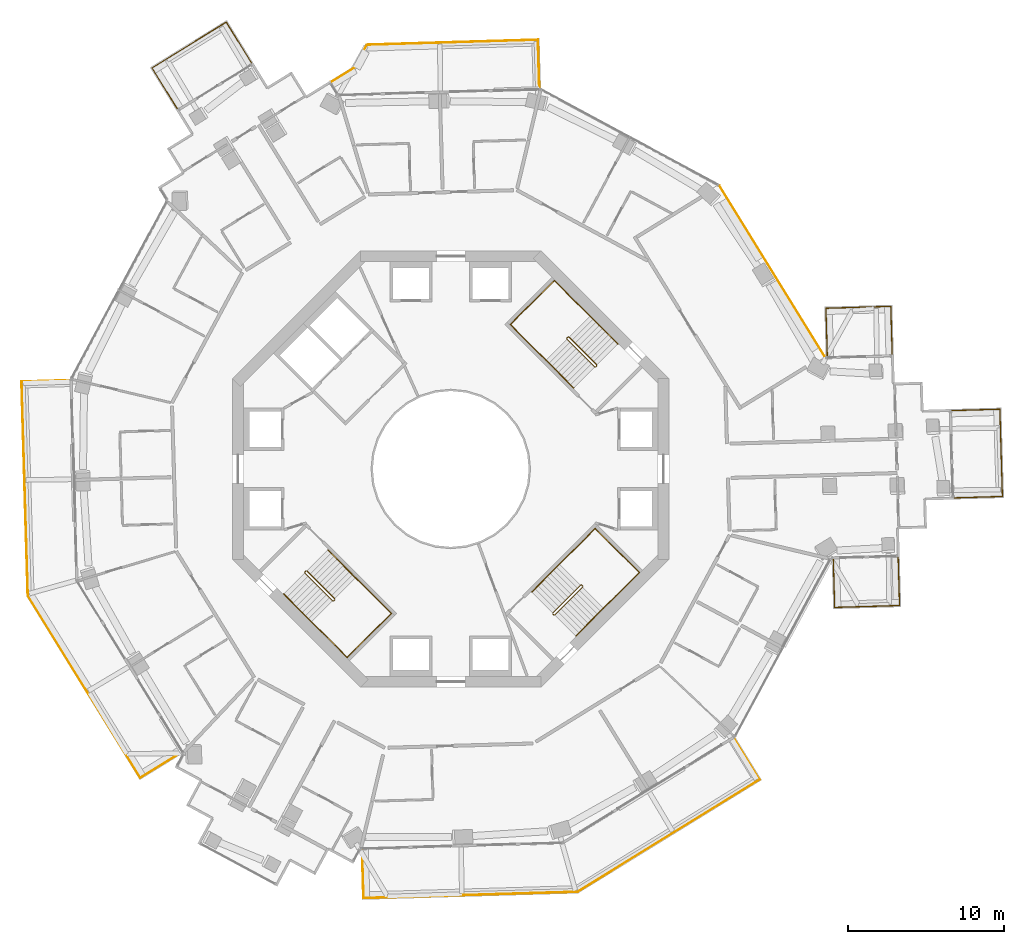
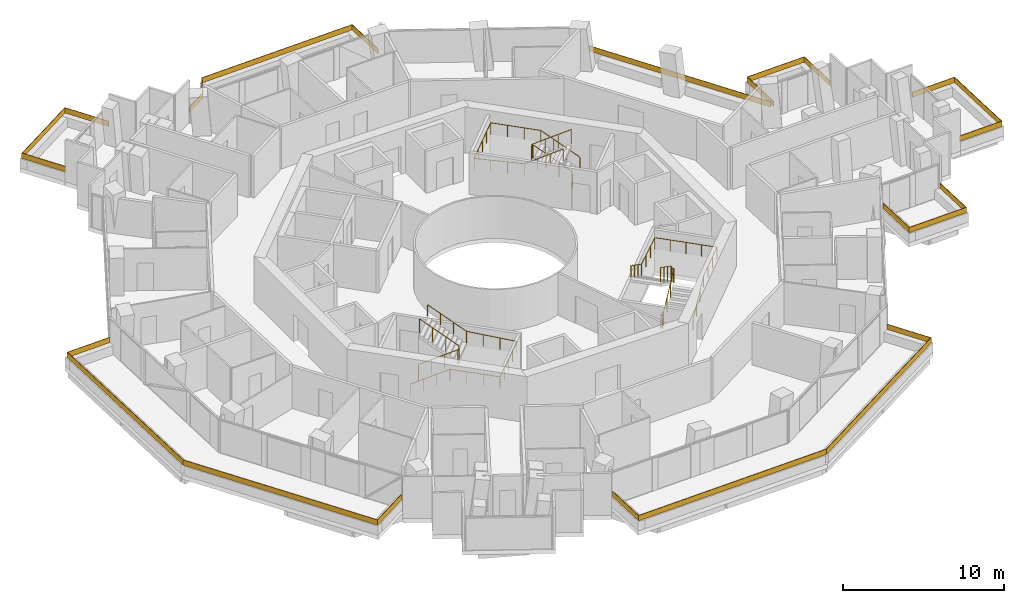
# One storey, part 22 of 22: 14 railings.
"""IFC4 building model written with IfcOpenShell, lengths in metres."""

from ifc_helpers import new_model, si_unit, direction, frame, origin, origin_2d, place, context, subcontext, project, spatial, polyline, rectangle, circle, outline, extrude, material, layer, layer_set, type_object, element, save


model = new_model("IFC4")

# Units and contexts
model_context = context("Model", 3, precision=1e-05, world=origin(), true_north=direction((0.0, 1.0)))
body_context = subcontext(model_context, "Body", "Model", "MODEL_VIEW")
ifc_project = project(units=[si_unit("LENGTHUNIT", "METRE"), si_unit("AREAUNIT", "SQUARE_METRE"), si_unit("VOLUMEUNIT", "CUBIC_METRE"), si_unit("PLANEANGLEUNIT", "RADIAN"), si_unit("MASSUNIT", "GRAM", prefix="KILO")], contexts=[model_context])

# Site, building, storey
site_placement = place(None, origin())
site = spatial("IfcSite", under=ifc_project, at=site_placement, CompositionType="ELEMENT")
building_placement = place(site_placement, origin())
building = spatial("IfcBuilding", under=site, at=building_placement, Name="Verdalira Terraces Hotel", CompositionType="ELEMENT")
storey_placement = place(building_placement, frame((0.0, 0.0, 162.0)))
storey = spatial("IfcBuildingStorey", under=building, at=storey_placement, Name="L39", CompositionType="ELEMENT", Elevation=162.0)

# Railings
ifc_material_1 = material(Name="Laminated glass", Category="glass")
ifc_layer = layer(ifc_material_1, 0.0400390625)
ifc_layer_set = layer_set([ifc_layer], Name="Balcony glass guard 400")
railing_type_1 = type_object("IfcRailingType", Name="Balcony glass guard 400", PredefinedType="GUARDRAIL", material=ifc_layer_set)
railing_1_placement = place(storey_placement, frame((0.0, 0.0, 0.699951)))
element("IfcRailing", 1, at=railing_1_placement, inside=storey, type_object=railing_type_1, Name="Balcony glass guard", PredefinedType="GUARDRAIL", context=body_context, shape_type="SweptSolid", body=[
    extrude(outline(polyline([(-14.407471, 28.639404), (-19.138916, 25.719238), (-17.521973, 23.099121), (-17.555908, 23.078125), (-19.194092, 25.732422), (-14.394287, 28.694336), (-12.756348, 26.040039), (-12.790527, 26.019043), (-14.407471, 28.639404)])), origin(), (0.0, 0.0, 1.0), 0.400146),
])
railing_2_placement = place(storey_placement, frame((0.0, 0.0, 0.699951)))
element("IfcRailing", 2, at=railing_2_placement, inside=storey, type_object=railing_type_1, Name="Balcony glass guard", PredefinedType="GUARDRAIL", context=body_context, shape_type="SweptSolid", body=[
    extrude(outline(polyline([(-27.513672, 5.575684), (-27.111816, -8.123535), (-19.914062, -19.786621), (-17.293945, -18.169678), (-17.272949, -18.203857), (-19.927246, -19.841797), (-27.151611, -8.135498), (-27.554688, 5.614502), (-24.437012, 5.706055), (-24.436035, 5.666016), (-27.513672, 5.575684)])), origin(), (0.0, 0.0, 1.0), 0.400146),
])
railing_3_placement = place(storey_placement, frame((0.0, 0.0, 0.699951)))
element("IfcRailing", 3, at=railing_3_placement, inside=storey, type_object=railing_type_1, Name="Balcony glass guard", PredefinedType="GUARDRAIL", context=body_context, shape_type="SweptSolid", body=[
    extrude(outline(polyline([(-5.575684, -27.513672), (8.123535, -27.111816), (19.786621, -19.914062), (18.169678, -17.293945), (18.203857, -17.272949), (19.841797, -19.927246), (8.135498, -27.151611), (-5.614502, -27.554688), (-5.706055, -24.437012), (-5.666016, -24.436035), (-5.575684, -27.513672)])), origin(), (0.0, 0.0, 1.0), 0.400146),
])
railing_4_placement = place(storey_placement, frame((0.0, 0.0, 0.699951)))
element("IfcRailing", 4, at=railing_4_placement, inside=storey, type_object=railing_type_1, Name="Balcony glass guard", PredefinedType="GUARDRAIL", context=body_context, shape_type="SweptSolid", body=[
    extrude(outline(polyline([(24.648682, -8.861084), (28.77002, -8.740234), (28.679932, -5.662598), (28.719727, -5.661377), (28.811279, -8.779053), (24.609863, -8.902344), (24.518555, -5.784668), (24.55835, -5.783447), (24.648682, -8.861084)])), origin(), (0.0, 0.0, 1.0), 0.400146),
])
railing_5_placement = place(storey_placement, frame((0.0, 0.0, 0.699951)))
element("IfcRailing", 5, at=railing_5_placement, inside=storey, type_object=railing_type_1, Name="Balcony glass guard", PredefinedType="GUARDRAIL", context=body_context, shape_type="SweptSolid", body=[
    extrude(outline(polyline([(35.36792, -1.743896), (35.204834, 3.813721), (32.127197, 3.723389), (32.125977, 3.763428), (35.243652, 3.85498), (35.408936, -1.782715), (32.29126, -1.874023), (32.290039, -1.834229), (35.36792, -1.743896)])), origin(), (0.0, 0.0, 1.0), 0.400146),
])
railing_6_placement = place(storey_placement, frame((0.0, 0.0, 0.699951)))
element("IfcRailing", 6, at=railing_6_placement, inside=storey, type_object=railing_type_1, Name="Balcony glass guard", PredefinedType="GUARDRAIL", context=body_context, shape_type="SweptSolid", body=[
    extrude(outline(polyline([(28.208252, 10.411377), (24.086914, 10.290527), (24.177246, 7.212891), (24.137207, 7.21167), (24.045898, 10.329346), (28.24707, 10.452637), (28.338623, 7.334961), (28.298584, 7.33374), (28.208252, 10.411377)])), origin(), (0.0, 0.0, 1.0), 0.400146),
])
railing_7_placement = place(storey_placement, frame((0.0, 0.0, 0.699951)))
element("IfcRailing", 7, at=railing_7_placement, inside=storey, type_object=railing_type_1, Name="Balcony glass guard", PredefinedType="GUARDRAIL", context=body_context, shape_type="SweptSolid", body=[
    extrude(outline(polyline([(5.575684, 27.513672), (-5.382812, 27.192139), (-6.169189, 25.732666), (-7.669678, 24.806641), (-7.690674, 24.84082), (-6.199463, 25.76123), (-5.406982, 27.231445), (5.614502, 27.554688), (5.706055, 24.437012), (5.666016, 24.436035), (5.575684, 27.513672)])), origin(), (0.0, 0.0, 1.0), 0.400146),
])
railing_8_placement = place(storey_placement, frame((20.601074, 12.713623, 0.699951), z_axis=(0.0, 0.0, 1.0), x_axis=(-0.52517463, 0.850994482, 0.0)))
element("IfcRailing", 8, at=railing_8_placement, inside=storey, type_object=railing_type_1, Name="Loggia glass guard", PredefinedType="GUARDRAIL", context=body_context, shape_type="SweptSolid", body=[
    extrude(rectangle(XDim=12.840088, YDim=0.040039, at=origin_2d()), origin(), (0.0, 0.0, 1.0), 0.399902),
])
ifc_material_2 = material(Name="Stainless steel", Category="steel")
railing_type_2 = type_object("IfcRailingType", Name="Stair guard 1100", PredefinedType="GUARDRAIL", material=ifc_material_2)
railing_9_placement = place(storey_placement, frame((9.369141, 6.611328, 0.0)))
element("IfcRailing", 9, at=railing_9_placement, inside=storey, type_object=railing_type_2, Name="L39 ST1 stair guard 1", PredefinedType="GUARDRAIL", context=body_context, shape_type="SweptSolid", body=[
    extrude(circle(Radius=0.023926, at=origin_2d()), frame((0.0, 0.0, 1.076172), z_axis=(-0.70832698, -0.705884473, 0.0), x_axis=(0.705884473, -0.70832698, 0.0)), (0.0, 0.0, 1.0), 0.099854),
    extrude(circle(Radius=0.023926, at=origin_2d()), frame((-0.070801, -0.070557, 1.076172), z_axis=(0.300162975, 0.599290904, 0.742127078), x_axis=(-0.894118129, 0.447831187, 0.0)), (0.0, 0.0, 1.0), 0.23584),
    extrude(circle(Radius=0.023926, at=origin_2d()), frame((0.0, 0.070801, 1.250977), z_axis=(-0.599637504, 0.599637504, 0.52997144), x_axis=(-0.707106781, -0.707106781, 0.0)), (0.0, 0.0, 1.0), 2.97168),
    extrude(circle(Radius=0.023926, at=origin_2d()), frame((-1.781982, 1.852783, 2.826172), z_axis=(-1.0, 0.0, 0.0), x_axis=(0.0, -1.0, 0.0)), (0.0, 0.0, 1.0), 0.070557),
    extrude(circle(Radius=0.023926, at=origin_2d()), frame((-1.852539, 1.852783, 2.826172), z_axis=(-0.707106781, -0.707106781, 0.0), x_axis=(0.707106781, -0.707106781, 0.0)), (0.0, 0.0, 1.0), 0.100098),
    extrude(circle(Radius=0.023926, at=origin_2d()), frame((-1.92334, 1.781982, 2.826172), z_axis=(0.0, -0.373842709, 0.927492118), x_axis=(1.0, 0.0, 0.0)), (0.0, 0.0, 1.0), 0.188721),
    extrude(circle(Radius=0.023926, at=origin_2d()), frame((-1.92334, 1.711426, 3.000977), z_axis=(0.599637504, -0.599637504, 0.52997144), x_axis=(0.707106781, 0.707106781, 0.0)), (0.0, 0.0, 1.0), 2.97168),
    extrude(circle(Radius=0.020996, at=origin_2d()), origin(), (0.0, 0.0, 1.0), 1.052002),
    extrude(circle(Radius=0.020996, at=origin_2d()), frame((-0.070801, -0.070557, 0.0)), (0.0, 0.0, 1.0), 1.052002),
    extrude(circle(Radius=0.020996, at=origin_2d()), frame((0.0, 0.070801, 0.175049)), (0.0, 0.0, 1.0), 1.052002),
    extrude(circle(Radius=0.020996, at=origin_2d()), frame((-0.593994, 0.664795, 0.699951)), (0.0, 0.0, 1.0), 1.052002),
    extrude(circle(Radius=0.020996, at=origin_2d()), frame((-1.187988, 1.258789, 1.225098)), (0.0, 0.0, 1.0), 1.052002),
    extrude(circle(Radius=0.020996, at=origin_2d()), frame((-1.781982, 1.852783, 1.75)), (0.0, 0.0, 1.0), 1.052002),
    extrude(circle(Radius=0.020996, at=origin_2d()), frame((-1.852539, 1.852783, 1.75)), (0.0, 0.0, 1.0), 1.052002),
    extrude(circle(Radius=0.020996, at=origin_2d()), frame((-1.92334, 1.781982, 1.75)), (0.0, 0.0, 1.0), 1.052002),
    extrude(circle(Radius=0.020996, at=origin_2d()), frame((-1.92334, 1.711426, 1.925049)), (0.0, 0.0, 1.0), 1.052002),
    extrude(circle(Radius=0.020996, at=origin_2d()), frame((-1.329346, 1.117432, 2.449951)), (0.0, 0.0, 1.0), 1.052002),
    extrude(circle(Radius=0.020996, at=origin_2d()), frame((-0.735352, 0.523438, 2.975098)), (0.0, 0.0, 1.0), 1.052002),
    extrude(circle(Radius=0.020996, at=origin_2d()), frame((-0.141357, -0.070557, 3.5)), (0.0, 0.0, 1.0), 1.052002),
])
railing_10_placement = place(storey_placement, frame((-9.369141, -6.611328, 0.0)))
element("IfcRailing", 10, at=railing_10_placement, inside=storey, type_object=railing_type_2, Name="L39 ST2 stair guard 1", PredefinedType="GUARDRAIL", context=body_context, shape_type="SweptSolid", body=[
    extrude(circle(Radius=0.023926, at=origin_2d()), frame((0.0, 0.0, 1.076172), z_axis=(0.70832698, 0.705884473, 0.0), x_axis=(-0.705884473, 0.70832698, 0.0)), (0.0, 0.0, 1.0), 0.099854),
    extrude(circle(Radius=0.023926, at=origin_2d()), frame((0.070801, 0.070557, 1.076172), z_axis=(-0.300162975, -0.599290904, 0.742127078), x_axis=(0.894118129, -0.447831187, 0.0)), (0.0, 0.0, 1.0), 0.23584),
    extrude(circle(Radius=0.023926, at=origin_2d()), frame((0.0, -0.070801, 1.250977), z_axis=(0.599637504, -0.599637504, 0.52997144), x_axis=(0.707106781, 0.707106781, 0.0)), (0.0, 0.0, 1.0), 2.97168),
    extrude(circle(Radius=0.023926, at=origin_2d()), frame((1.781982, -1.852783, 2.826172), z_axis=(1.0, 0.0, 0.0), x_axis=(0.0, 1.0, 0.0)), (0.0, 0.0, 1.0), 0.070557),
    extrude(circle(Radius=0.023926, at=origin_2d()), frame((1.852539, -1.852783, 2.826172), z_axis=(0.707106781, 0.707106781, 0.0), x_axis=(-0.707106781, 0.707106781, 0.0)), (0.0, 0.0, 1.0), 0.100098),
    extrude(circle(Radius=0.023926, at=origin_2d()), frame((1.92334, -1.781982, 2.826172), z_axis=(0.0, 0.373842709, 0.927492118), x_axis=(-1.0, 0.0, 0.0)), (0.0, 0.0, 1.0), 0.188721),
    extrude(circle(Radius=0.023926, at=origin_2d()), frame((1.92334, -1.711426, 3.000977), z_axis=(-0.599637504, 0.599637504, 0.52997144), x_axis=(-0.707106781, -0.707106781, 0.0)), (0.0, 0.0, 1.0), 2.97168),
    extrude(circle(Radius=0.020996, at=origin_2d()), origin(), (0.0, 0.0, 1.0), 1.052002),
    extrude(circle(Radius=0.020996, at=origin_2d()), frame((0.070801, 0.070557, 0.0)), (0.0, 0.0, 1.0), 1.052002),
    extrude(circle(Radius=0.020996, at=origin_2d()), frame((0.0, -0.070801, 0.175049)), (0.0, 0.0, 1.0), 1.052002),
    extrude(circle(Radius=0.020996, at=origin_2d()), frame((0.593994, -0.664795, 0.699951)), (0.0, 0.0, 1.0), 1.052002),
    extrude(circle(Radius=0.020996, at=origin_2d()), frame((1.187988, -1.258789, 1.225098)), (0.0, 0.0, 1.0), 1.052002),
    extrude(circle(Radius=0.020996, at=origin_2d()), frame((1.781982, -1.852783, 1.75)), (0.0, 0.0, 1.0), 1.052002),
    extrude(circle(Radius=0.020996, at=origin_2d()), frame((1.852539, -1.852783, 1.75)), (0.0, 0.0, 1.0), 1.052002),
    extrude(circle(Radius=0.020996, at=origin_2d()), frame((1.92334, -1.781982, 1.75)), (0.0, 0.0, 1.0), 1.052002),
    extrude(circle(Radius=0.020996, at=origin_2d()), frame((1.92334, -1.711426, 1.925049)), (0.0, 0.0, 1.0), 1.052002),
    extrude(circle(Radius=0.020996, at=origin_2d()), frame((1.329346, -1.117432, 2.449951)), (0.0, 0.0, 1.0), 1.052002),
    extrude(circle(Radius=0.020996, at=origin_2d()), frame((0.735352, -0.523438, 2.975098)), (0.0, 0.0, 1.0), 1.052002),
    extrude(circle(Radius=0.020996, at=origin_2d()), frame((0.141357, 0.070557, 3.5)), (0.0, 0.0, 1.0), 1.052002),
])
railing_11_placement = place(storey_placement, frame((6.611328, -9.369141, 0.0)))
element("IfcRailing", 11, at=railing_11_placement, inside=storey, type_object=railing_type_2, Name="L39 ST3 stair guard 1", PredefinedType="GUARDRAIL", context=body_context, shape_type="SweptSolid", body=[
    extrude(circle(Radius=0.023926, at=origin_2d()), frame((0.0, 0.0, 1.076172), z_axis=(-0.705884473, 0.70832698, 0.0), x_axis=(-0.70832698, -0.705884473, 0.0)), (0.0, 0.0, 1.0), 0.099854),
    extrude(circle(Radius=0.023926, at=origin_2d()), frame((-0.070557, 0.070801, 1.076172), z_axis=(0.599290904, -0.300162975, 0.742127078), x_axis=(0.447831187, 0.894118129, 0.0)), (0.0, 0.0, 1.0), 0.23584),
    extrude(circle(Radius=0.023926, at=origin_2d()), frame((0.070801, 0.0, 1.250977), z_axis=(0.599637504, 0.599637504, 0.52997144), x_axis=(-0.707106781, 0.707106781, 0.0)), (0.0, 0.0, 1.0), 2.97168),
    extrude(circle(Radius=0.023926, at=origin_2d()), frame((1.852783, 1.781982, 2.826172), z_axis=(0.0, 1.0, 0.0), x_axis=(-1.0, 0.0, 0.0)), (0.0, 0.0, 1.0), 0.070557),
    extrude(circle(Radius=0.023926, at=origin_2d()), frame((1.852783, 1.852539, 2.826172), z_axis=(-0.707106781, 0.707106781, 0.0), x_axis=(-0.707106781, -0.707106781, 0.0)), (0.0, 0.0, 1.0), 0.100098),
    extrude(circle(Radius=0.023926, at=origin_2d()), frame((1.781982, 1.92334, 2.826172), z_axis=(-0.373842709, 0.0, 0.927492118), x_axis=(0.0, -1.0, 0.0)), (0.0, 0.0, 1.0), 0.188721),
    extrude(circle(Radius=0.023926, at=origin_2d()), frame((1.711426, 1.92334, 3.000977), z_axis=(-0.599637504, -0.599637504, 0.52997144), x_axis=(0.707106781, -0.707106781, 0.0)), (0.0, 0.0, 1.0), 2.97168),
    extrude(circle(Radius=0.020996, at=origin_2d()), origin(), (0.0, 0.0, 1.0), 1.052002),
    extrude(circle(Radius=0.020996, at=origin_2d()), frame((-0.070557, 0.070801, 0.0)), (0.0, 0.0, 1.0), 1.052002),
    extrude(circle(Radius=0.020996, at=origin_2d()), frame((0.070801, 0.0, 0.175049)), (0.0, 0.0, 1.0), 1.052002),
    extrude(circle(Radius=0.020996, at=origin_2d()), frame((0.664795, 0.593994, 0.699951)), (0.0, 0.0, 1.0), 1.052002),
    extrude(circle(Radius=0.020996, at=origin_2d()), frame((1.258789, 1.187988, 1.225098)), (0.0, 0.0, 1.0), 1.052002),
    extrude(circle(Radius=0.020996, at=origin_2d()), frame((1.852783, 1.781982, 1.75)), (0.0, 0.0, 1.0), 1.052002),
    extrude(circle(Radius=0.020996, at=origin_2d()), frame((1.852783, 1.852539, 1.75)), (0.0, 0.0, 1.0), 1.052002),
    extrude(circle(Radius=0.020996, at=origin_2d()), frame((1.781982, 1.92334, 1.75)), (0.0, 0.0, 1.0), 1.052002),
    extrude(circle(Radius=0.020996, at=origin_2d()), frame((1.711426, 1.92334, 1.925049)), (0.0, 0.0, 1.0), 1.052002),
    extrude(circle(Radius=0.020996, at=origin_2d()), frame((1.117432, 1.329346, 2.449951)), (0.0, 0.0, 1.0), 1.052002),
    extrude(circle(Radius=0.020996, at=origin_2d()), frame((0.523438, 0.735352, 2.975098)), (0.0, 0.0, 1.0), 1.052002),
    extrude(circle(Radius=0.020996, at=origin_2d()), frame((-0.070557, 0.141357, 3.5)), (0.0, 0.0, 1.0), 1.052002),
])
ifc_material_3 = material(Name="Stainless steel", Category="steel")
railing_type_3 = type_object("IfcRailingType", Name="Stair handrail 900", PredefinedType="HANDRAIL", material=ifc_material_3)
railing_12_placement = place(storey_placement, frame((10.712646, 8.025635, 0.175049)))
element("IfcRailing", 12, at=railing_12_placement, inside=storey, type_object=railing_type_3, Name="L39 ST1 stair handrail 1", PredefinedType="HANDRAIL", context=body_context, shape_type="SweptSolid", body=[
    extrude(circle(Radius=0.023926, at=origin_2d()), frame((0.0, 0.0, 0.875977), z_axis=(-0.599637504, 0.599637504, 0.52997144), x_axis=(-0.707106781, -0.707106781, 0.0)), (0.0, 0.0, 1.0), 2.97168),
    extrude(circle(Radius=0.023926, at=origin_2d()), frame((-1.781982, 1.781982, 2.450684), z_axis=(-0.707106781, 0.707106781, 0.0), x_axis=(-0.707106781, -0.707106781, 0.0)), (0.0, 0.0, 1.0), 3.22998),
    extrude(circle(Radius=0.023926, at=origin_2d()), frame((-4.065918, 4.065918, 2.450684), z_axis=(-0.707106781, -0.707106781, 0.0), x_axis=(0.707106781, -0.707106781, 0.0)), (0.0, 0.0, 1.0), 4.0),
    extrude(circle(Radius=0.023926, at=origin_2d()), frame((-6.894287, 1.237549, 2.450684), z_axis=(0.706070637, -0.706070637, 0.054115729), x_axis=(0.707106781, 0.707106781, 0.0)), (0.0, 0.0, 1.0), 3.234619),
    extrude(circle(Radius=0.023926, at=origin_2d()), frame((-4.610352, -1.046387, 2.625977), z_axis=(0.599637504, -0.599637504, 0.52997144), x_axis=(0.707106781, 0.707106781, 0.0)), (0.0, 0.0, 1.0), 2.97168),
    extrude(circle(Radius=0.020996, at=origin_2d()), origin(), (0.0, 0.0, 1.0), 0.851807),
    extrude(circle(Radius=0.020996, at=origin_2d()), frame((-0.593994, 0.593994, 0.524902)), (0.0, 0.0, 1.0), 0.851807),
    extrude(circle(Radius=0.020996, at=origin_2d()), frame((-1.187988, 1.187988, 1.050049)), (0.0, 0.0, 1.0), 0.851807),
    extrude(circle(Radius=0.020996, at=origin_2d()), frame((-1.781982, 1.781982, 1.574951)), (0.0, 0.0, 1.0), 0.851807),
    extrude(circle(Radius=0.020996, at=origin_2d()), frame((-2.543213, 2.543213, 1.574951)), (0.0, 0.0, 1.0), 0.851807),
    extrude(circle(Radius=0.020996, at=origin_2d()), frame((-3.304688, 3.304688, 1.574951)), (0.0, 0.0, 1.0), 0.851807),
    extrude(circle(Radius=0.020996, at=origin_2d()), frame((-4.065918, 4.065918, 1.574951)), (0.0, 0.0, 1.0), 0.851807),
    extrude(circle(Radius=0.020996, at=origin_2d()), frame((-4.772949, 3.358887, 1.574951)), (0.0, 0.0, 1.0), 0.851807),
    extrude(circle(Radius=0.020996, at=origin_2d()), frame((-5.47998, 2.651855, 1.574951)), (0.0, 0.0, 1.0), 0.851807),
    extrude(circle(Radius=0.020996, at=origin_2d()), frame((-6.187256, 1.94458, 1.574951)), (0.0, 0.0, 1.0), 0.851807),
    extrude(circle(Radius=0.020996, at=origin_2d()), frame((-6.894287, 1.237549, 1.574951)), (0.0, 0.0, 1.0), 0.851807),
    extrude(circle(Radius=0.020996, at=origin_2d()), frame((-6.133057, 0.476318, 1.633301)), (0.0, 0.0, 1.0), 0.851807),
    extrude(circle(Radius=0.020996, at=origin_2d()), frame((-5.371582, -0.285156, 1.69165)), (0.0, 0.0, 1.0), 0.851807),
    extrude(circle(Radius=0.020996, at=origin_2d()), frame((-4.610352, -1.046387, 1.75)), (0.0, 0.0, 1.0), 0.851807),
    extrude(circle(Radius=0.020996, at=origin_2d()), frame((-4.016357, -1.640381, 2.274902)), (0.0, 0.0, 1.0), 0.851807),
    extrude(circle(Radius=0.020996, at=origin_2d()), frame((-3.422363, -2.234375, 2.800049)), (0.0, 0.0, 1.0), 0.851807),
    extrude(circle(Radius=0.020996, at=origin_2d()), frame((-2.828369, -2.828369, 3.324951)), (0.0, 0.0, 1.0), 0.851807),
])
railing_13_placement = place(storey_placement, frame((-10.712646, -8.025635, 0.175049)))
element("IfcRailing", 13, at=railing_13_placement, inside=storey, type_object=railing_type_3, Name="L39 ST2 stair handrail 1", PredefinedType="HANDRAIL", context=body_context, shape_type="SweptSolid", body=[
    extrude(circle(Radius=0.023926, at=origin_2d()), frame((0.0, 0.0, 0.875977), z_axis=(0.599637504, -0.599637504, 0.52997144), x_axis=(0.707106781, 0.707106781, 0.0)), (0.0, 0.0, 1.0), 2.97168),
    extrude(circle(Radius=0.023926, at=origin_2d()), frame((1.781982, -1.781982, 2.450684), z_axis=(0.707106781, -0.707106781, 0.0), x_axis=(0.707106781, 0.707106781, 0.0)), (0.0, 0.0, 1.0), 3.22998),
    extrude(circle(Radius=0.023926, at=origin_2d()), frame((4.065918, -4.065918, 2.450684), z_axis=(0.707106781, 0.707106781, 0.0), x_axis=(-0.707106781, 0.707106781, 0.0)), (0.0, 0.0, 1.0), 4.0),
    extrude(circle(Radius=0.023926, at=origin_2d()), frame((6.894287, -1.237549, 2.450684), z_axis=(-0.706070637, 0.706070637, 0.054115729), x_axis=(-0.707106781, -0.707106781, 0.0)), (0.0, 0.0, 1.0), 3.234619),
    extrude(circle(Radius=0.023926, at=origin_2d()), frame((4.610352, 1.046387, 2.625977), z_axis=(-0.599637504, 0.599637504, 0.52997144), x_axis=(-0.707106781, -0.707106781, 0.0)), (0.0, 0.0, 1.0), 2.97168),
    extrude(circle(Radius=0.020996, at=origin_2d()), origin(), (0.0, 0.0, 1.0), 0.851807),
    extrude(circle(Radius=0.020996, at=origin_2d()), frame((0.593994, -0.593994, 0.524902)), (0.0, 0.0, 1.0), 0.851807),
    extrude(circle(Radius=0.020996, at=origin_2d()), frame((1.187988, -1.187988, 1.050049)), (0.0, 0.0, 1.0), 0.851807),
    extrude(circle(Radius=0.020996, at=origin_2d()), frame((1.781982, -1.781982, 1.574951)), (0.0, 0.0, 1.0), 0.851807),
    extrude(circle(Radius=0.020996, at=origin_2d()), frame((2.543213, -2.543213, 1.574951)), (0.0, 0.0, 1.0), 0.851807),
    extrude(circle(Radius=0.020996, at=origin_2d()), frame((3.304688, -3.304688, 1.574951)), (0.0, 0.0, 1.0), 0.851807),
    extrude(circle(Radius=0.020996, at=origin_2d()), frame((4.065918, -4.065918, 1.574951)), (0.0, 0.0, 1.0), 0.851807),
    extrude(circle(Radius=0.020996, at=origin_2d()), frame((4.772949, -3.358887, 1.574951)), (0.0, 0.0, 1.0), 0.851807),
    extrude(circle(Radius=0.020996, at=origin_2d()), frame((5.47998, -2.651855, 1.574951)), (0.0, 0.0, 1.0), 0.851807),
    extrude(circle(Radius=0.020996, at=origin_2d()), frame((6.187256, -1.94458, 1.574951)), (0.0, 0.0, 1.0), 0.851807),
    extrude(circle(Radius=0.020996, at=origin_2d()), frame((6.894287, -1.237549, 1.574951)), (0.0, 0.0, 1.0), 0.851807),
    extrude(circle(Radius=0.020996, at=origin_2d()), frame((6.133057, -0.476318, 1.633301)), (0.0, 0.0, 1.0), 0.851807),
    extrude(circle(Radius=0.020996, at=origin_2d()), frame((5.371582, 0.285156, 1.69165)), (0.0, 0.0, 1.0), 0.851807),
    extrude(circle(Radius=0.020996, at=origin_2d()), frame((4.610352, 1.046387, 1.75)), (0.0, 0.0, 1.0), 0.851807),
    extrude(circle(Radius=0.020996, at=origin_2d()), frame((4.016357, 1.640381, 2.274902)), (0.0, 0.0, 1.0), 0.851807),
    extrude(circle(Radius=0.020996, at=origin_2d()), frame((3.422363, 2.234375, 2.800049)), (0.0, 0.0, 1.0), 0.851807),
    extrude(circle(Radius=0.020996, at=origin_2d()), frame((2.828369, 2.828369, 3.324951)), (0.0, 0.0, 1.0), 0.851807),
])
railing_14_placement = place(storey_placement, frame((8.025635, -10.712646, 0.175049)))
element("IfcRailing", 14, at=railing_14_placement, inside=storey, type_object=railing_type_3, Name="L39 ST3 stair handrail 1", PredefinedType="HANDRAIL", context=body_context, shape_type="SweptSolid", body=[
    extrude(circle(Radius=0.023926, at=origin_2d()), frame((0.0, 0.0, 0.875977), z_axis=(0.599637504, 0.599637504, 0.52997144), x_axis=(-0.707106781, 0.707106781, 0.0)), (0.0, 0.0, 1.0), 2.97168),
    extrude(circle(Radius=0.023926, at=origin_2d()), frame((1.781982, 1.781982, 2.450684), z_axis=(0.707106781, 0.707106781, 0.0), x_axis=(-0.707106781, 0.707106781, 0.0)), (0.0, 0.0, 1.0), 3.22998),
    extrude(circle(Radius=0.023926, at=origin_2d()), frame((4.065918, 4.065918, 2.450684), z_axis=(-0.707106781, 0.707106781, 0.0), x_axis=(-0.707106781, -0.707106781, 0.0)), (0.0, 0.0, 1.0), 4.0),
    extrude(circle(Radius=0.023926, at=origin_2d()), frame((1.237549, 6.894287, 2.450684), z_axis=(-0.706070637, -0.706070637, 0.054115729), x_axis=(0.707106781, -0.707106781, 0.0)), (0.0, 0.0, 1.0), 3.234619),
    extrude(circle(Radius=0.023926, at=origin_2d()), frame((-1.046387, 4.610352, 2.625977), z_axis=(-0.599637504, -0.599637504, 0.52997144), x_axis=(0.707106781, -0.707106781, 0.0)), (0.0, 0.0, 1.0), 2.97168),
    extrude(circle(Radius=0.020996, at=origin_2d()), origin(), (0.0, 0.0, 1.0), 0.851807),
    extrude(circle(Radius=0.020996, at=origin_2d()), frame((0.593994, 0.593994, 0.524902)), (0.0, 0.0, 1.0), 0.851807),
    extrude(circle(Radius=0.020996, at=origin_2d()), frame((1.187988, 1.187988, 1.050049)), (0.0, 0.0, 1.0), 0.851807),
    extrude(circle(Radius=0.020996, at=origin_2d()), frame((1.781982, 1.781982, 1.574951)), (0.0, 0.0, 1.0), 0.851807),
    extrude(circle(Radius=0.020996, at=origin_2d()), frame((2.543213, 2.543213, 1.574951)), (0.0, 0.0, 1.0), 0.851807),
    extrude(circle(Radius=0.020996, at=origin_2d()), frame((3.304688, 3.304688, 1.574951)), (0.0, 0.0, 1.0), 0.851807),
    extrude(circle(Radius=0.020996, at=origin_2d()), frame((4.065918, 4.065918, 1.574951)), (0.0, 0.0, 1.0), 0.851807),
    extrude(circle(Radius=0.020996, at=origin_2d()), frame((3.358887, 4.772949, 1.574951)), (0.0, 0.0, 1.0), 0.851807),
    extrude(circle(Radius=0.020996, at=origin_2d()), frame((2.651855, 5.47998, 1.574951)), (0.0, 0.0, 1.0), 0.851807),
    extrude(circle(Radius=0.020996, at=origin_2d()), frame((1.94458, 6.187256, 1.574951)), (0.0, 0.0, 1.0), 0.851807),
    extrude(circle(Radius=0.020996, at=origin_2d()), frame((1.237549, 6.894287, 1.574951)), (0.0, 0.0, 1.0), 0.851807),
    extrude(circle(Radius=0.020996, at=origin_2d()), frame((0.476318, 6.133057, 1.633301)), (0.0, 0.0, 1.0), 0.851807),
    extrude(circle(Radius=0.020996, at=origin_2d()), frame((-0.285156, 5.371582, 1.69165)), (0.0, 0.0, 1.0), 0.851807),
    extrude(circle(Radius=0.020996, at=origin_2d()), frame((-1.046387, 4.610352, 1.75)), (0.0, 0.0, 1.0), 0.851807),
    extrude(circle(Radius=0.020996, at=origin_2d()), frame((-1.640381, 4.016357, 2.274902)), (0.0, 0.0, 1.0), 0.851807),
    extrude(circle(Radius=0.020996, at=origin_2d()), frame((-2.234375, 3.422363, 2.800049)), (0.0, 0.0, 1.0), 0.851807),
    extrude(circle(Radius=0.020996, at=origin_2d()), frame((-2.828369, 2.828369, 3.324951)), (0.0, 0.0, 1.0), 0.851807),
])

save(model, "model.ifc")
